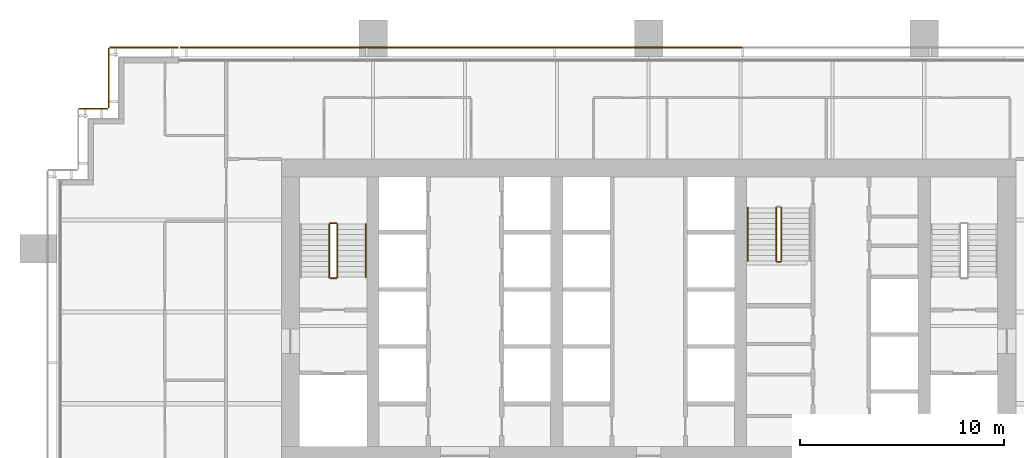
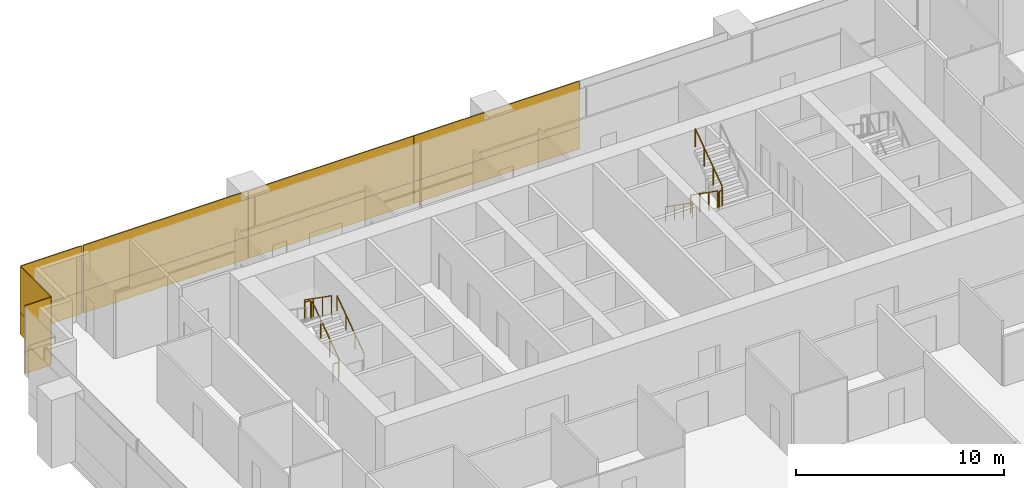
# One storey, part 17 of 18: 12 coverings, 9 railings.
"""IFC4 building model written with IfcOpenShell, lengths in metres."""

from ifc_helpers import new_model, si_unit, direction, frame, origin, origin_2d, place, context, subcontext, project, spatial, rectangle, extrude, material, layer, layer_set, type_object, element, save


model = new_model("IFC4")

# Units and contexts
model_context = context("Model", 3, precision=1e-05, world=origin(), true_north=direction((0.0, 1.0)))
body_context = subcontext(model_context, "Body", "Model", "MODEL_VIEW")
ifc_project = project(units=[si_unit("LENGTHUNIT", "METRE"), si_unit("AREAUNIT", "SQUARE_METRE"), si_unit("VOLUMEUNIT", "CUBIC_METRE"), si_unit("PLANEANGLEUNIT", "RADIAN"), si_unit("MASSUNIT", "GRAM", prefix="KILO")], contexts=[model_context])

# Site, building, storey
site_placement = place(None, origin())
site = spatial("IfcSite", under=ifc_project, at=site_placement, CompositionType="ELEMENT")
building_placement = place(site_placement, origin())
building = spatial("IfcBuilding", under=site, at=building_placement, Name="Rattan Terrace Tower", CompositionType="ELEMENT")
storey_placement = place(building_placement, frame((0.0, 0.0, 134.10009765625)))
storey = spatial("IfcBuildingStorey", under=building, at=storey_placement, Name="L30", CompositionType="ELEMENT", Elevation=134.10009765625)

# Railings
ifc_material_1 = material(Name="Powder-coated steel guard", Category="steel")
railing_type_1 = type_object("IfcRailingType", Name="Core stair guard", PredefinedType="GUARDRAIL", material=ifc_material_1)
railing_1_placement = place(storey_placement, frame((-15.25, 1.699951171875, 0.181640625)))
element("IfcRailing", 1, at=railing_1_placement, inside=storey, type_object=railing_type_1, Name="L30 S1 stair guard 1", PredefinedType="GUARDRAIL", context=body_context, shape_type="SweptSolid", body=[
    extrude(rectangle(XDim=0.048095703125, YDim=0.048095703125, at=origin_2d()), frame((0.0, 0.0, 1.076171875), z_axis=(0.0, 0.819484887739, 0.573100792852), x_axis=(-1.0, 0.0, 0.0)), (0.0, 0.0, 1.0), 3.1728515625),
    extrude(rectangle(XDim=0.0419921875, YDim=0.0419921875, at=origin_2d()), origin(), (0.0, 0.0, 1.0), 1.052001953125),
    extrude(rectangle(XDim=0.0419921875, YDim=0.0419921875, at=origin_2d()), frame((0.0, 0.86669921875, 0.606201171875)), (0.0, 0.0, 1.0), 1.052001953125),
    extrude(rectangle(XDim=0.0419921875, YDim=0.0419921875, at=origin_2d()), frame((0.0, 1.7333984375, 1.212158203125)), (0.0, 0.0, 1.0), 1.052001953125),
    extrude(rectangle(XDim=0.0419921875, YDim=0.0419921875, at=origin_2d()), frame((0.0, 2.60009765625, 1.818359375)), (0.0, 0.0, 1.0), 1.052001953125),
])
railing_2_placement = place(storey_placement, frame((-15.300048828125, 4.35009765625, 2.0)))
element("IfcRailing", 2, at=railing_2_placement, inside=storey, type_object=railing_type_1, Name="L30 S1 stair guard 2", PredefinedType="GUARDRAIL", context=body_context, shape_type="SweptSolid", body=[
    extrude(rectangle(XDim=0.048095703125, YDim=0.048095703125, at=origin_2d()), frame((0.0, 0.0, 1.076171875), z_axis=(-1.0, 0.0, 0.0), x_axis=(0.0, -1.0, 0.0)), (0.0, 0.0, 1.0), 0.300048828125),
    extrude(rectangle(XDim=0.0419921875, YDim=0.0419921875, at=origin_2d()), origin(), (0.0, 0.0, 1.0), 1.052001953125),
    extrude(rectangle(XDim=0.0419921875, YDim=0.0419921875, at=origin_2d()), frame((-0.300048828125, 0.0, 0.0)), (0.0, 0.0, 1.0), 1.052001953125),
])
railing_3_placement = place(storey_placement, frame((-15.64990234375, 4.300048828125, 2.181640625)))
element("IfcRailing", 3, at=railing_3_placement, inside=storey, type_object=railing_type_1, Name="L30 S1 stair guard 3", PredefinedType="GUARDRAIL", context=body_context, shape_type="SweptSolid", body=[
    extrude(rectangle(XDim=0.048095703125, YDim=0.048095703125, at=origin_2d()), frame((0.0, 0.0, 1.076171875), z_axis=(0.0, -0.819484887739, 0.573100792852), x_axis=(1.0, 0.0, 0.0)), (0.0, 0.0, 1.0), 3.1728515625),
    extrude(rectangle(XDim=0.0419921875, YDim=0.0419921875, at=origin_2d()), origin(), (0.0, 0.0, 1.0), 1.052001953125),
    extrude(rectangle(XDim=0.0419921875, YDim=0.0419921875, at=origin_2d()), frame((0.0, -0.86669921875, 0.606201171875)), (0.0, 0.0, 1.0), 1.052001953125),
    extrude(rectangle(XDim=0.0419921875, YDim=0.0419921875, at=origin_2d()), frame((0.0, -1.7333984375, 1.212158203125)), (0.0, 0.0, 1.0), 1.052001953125),
    extrude(rectangle(XDim=0.0419921875, YDim=0.0419921875, at=origin_2d()), frame((0.0, -2.60009765625, 1.818359375)), (0.0, 0.0, 1.0), 1.052001953125),
])
railing_4_placement = place(storey_placement, frame((-15.300048828125, 1.64990234375, 0.0)))
element("IfcRailing", 4, at=railing_4_placement, inside=storey, type_object=railing_type_1, Name="L30 S1 stair guard 4", PredefinedType="GUARDRAIL", context=body_context, shape_type="SweptSolid", body=[
    extrude(rectangle(XDim=0.048095703125, YDim=0.048095703125, at=origin_2d()), frame((0.0, 0.0, 1.076171875), z_axis=(-1.0, 0.0, 0.0), x_axis=(0.0, -1.0, 0.0)), (0.0, 0.0, 1.0), 0.300048828125),
    extrude(rectangle(XDim=0.0419921875, YDim=0.0419921875, at=origin_2d()), origin(), (0.0, 0.0, 1.0), 1.052001953125),
    extrude(rectangle(XDim=0.0419921875, YDim=0.0419921875, at=origin_2d()), frame((-0.300048828125, 0.0, 0.0)), (0.0, 0.0, 1.0), 1.052001953125),
])
railing_5_placement = place(storey_placement, frame((6.25, 5.10009765625, 0.181640625)))
element("IfcRailing", 5, at=railing_5_placement, inside=storey, type_object=railing_type_1, Name="L30 S3 stair guard 1", PredefinedType="GUARDRAIL", context=body_context, shape_type="SweptSolid", body=[
    extrude(rectangle(XDim=0.048095703125, YDim=0.048095703125, at=origin_2d()), frame((0.0, 0.0, 1.076171875), z_axis=(0.0, -0.819484887739, 0.573100792852), x_axis=(1.0, 0.0, 0.0)), (0.0, 0.0, 1.0), 3.1728515625),
    extrude(rectangle(XDim=0.0419921875, YDim=0.0419921875, at=origin_2d()), origin(), (0.0, 0.0, 1.0), 1.052001953125),
    extrude(rectangle(XDim=0.0419921875, YDim=0.0419921875, at=origin_2d()), frame((0.0, -0.86669921875, 0.606201171875)), (0.0, 0.0, 1.0), 1.052001953125),
    extrude(rectangle(XDim=0.0419921875, YDim=0.0419921875, at=origin_2d()), frame((0.0, -1.7333984375, 1.212158203125)), (0.0, 0.0, 1.0), 1.052001953125),
    extrude(rectangle(XDim=0.0419921875, YDim=0.0419921875, at=origin_2d()), frame((0.0, -2.60009765625, 1.818359375)), (0.0, 0.0, 1.0), 1.052001953125),
])
railing_6_placement = place(storey_placement, frame((6.300048828125, 2.449951171875, 2.0)))
element("IfcRailing", 6, at=railing_6_placement, inside=storey, type_object=railing_type_1, Name="L30 S3 stair guard 2", PredefinedType="GUARDRAIL", context=body_context, shape_type="SweptSolid", body=[
    extrude(rectangle(XDim=0.048095703125, YDim=0.048095703125, at=origin_2d()), frame((0.0, 0.0, 1.076171875), z_axis=(1.0, 0.0, 0.0), x_axis=(0.0, 1.0, 0.0)), (0.0, 0.0, 1.0), 0.14990234375),
    extrude(rectangle(XDim=0.0419921875, YDim=0.0419921875, at=origin_2d()), origin(), (0.0, 0.0, 1.0), 1.052001953125),
    extrude(rectangle(XDim=0.0419921875, YDim=0.0419921875, at=origin_2d()), frame((0.14990234375, 0.0, 0.0)), (0.0, 0.0, 1.0), 1.052001953125),
])
railing_7_placement = place(storey_placement, frame((6.5, 2.5, 2.181640625)))
element("IfcRailing", 7, at=railing_7_placement, inside=storey, type_object=railing_type_1, Name="L30 S3 stair guard 3", PredefinedType="GUARDRAIL", context=body_context, shape_type="SweptSolid", body=[
    extrude(rectangle(XDim=0.048095703125, YDim=0.048095703125, at=origin_2d()), frame((0.0, 0.0, 1.076171875), z_axis=(0.0, 0.819484887739, 0.573100792852), x_axis=(-1.0, 0.0, 0.0)), (0.0, 0.0, 1.0), 3.1728515625),
    extrude(rectangle(XDim=0.0419921875, YDim=0.0419921875, at=origin_2d()), origin(), (0.0, 0.0, 1.0), 1.052001953125),
    extrude(rectangle(XDim=0.0419921875, YDim=0.0419921875, at=origin_2d()), frame((0.0, 0.86669921875, 0.606201171875)), (0.0, 0.0, 1.0), 1.052001953125),
    extrude(rectangle(XDim=0.0419921875, YDim=0.0419921875, at=origin_2d()), frame((0.0, 1.7333984375, 1.212158203125)), (0.0, 0.0, 1.0), 1.052001953125),
    extrude(rectangle(XDim=0.0419921875, YDim=0.0419921875, at=origin_2d()), frame((0.0, 2.60009765625, 1.818359375)), (0.0, 0.0, 1.0), 1.052001953125),
])
ifc_material_2 = material(Name="Powder-coated steel handrail", Category="steel")
railing_type_2 = type_object("IfcRailingType", Name="Core stair handrail", PredefinedType="HANDRAIL", material=ifc_material_2)
railing_8_placement = place(storey_placement, frame((-13.85009765625, 1.699951171875, 0.181640625)))
element("IfcRailing", 8, at=railing_8_placement, inside=storey, type_object=railing_type_2, Name="L30 S1 stair handrail 1", PredefinedType="HANDRAIL", context=body_context, shape_type="SweptSolid", body=[
    extrude(rectangle(XDim=0.048095703125, YDim=0.048095703125, at=origin_2d()), frame((0.0, 0.0, 0.8759765625), z_axis=(0.0, 0.819484887739, 0.573100792852), x_axis=(-1.0, 0.0, 0.0)), (0.0, 0.0, 1.0), 3.1728515625),
    extrude(rectangle(XDim=0.0419921875, YDim=0.0419921875, at=origin_2d()), origin(), (0.0, 0.0, 1.0), 0.851806640625),
    extrude(rectangle(XDim=0.0419921875, YDim=0.0419921875, at=origin_2d()), frame((0.0, 0.86669921875, 0.606201171875)), (0.0, 0.0, 1.0), 0.851806640625),
    extrude(rectangle(XDim=0.0419921875, YDim=0.0419921875, at=origin_2d()), frame((0.0, 1.7333984375, 1.212158203125)), (0.0, 0.0, 1.0), 0.851806640625),
    extrude(rectangle(XDim=0.0419921875, YDim=0.0419921875, at=origin_2d()), frame((0.0, 2.60009765625, 1.818359375)), (0.0, 0.0, 1.0), 0.851806640625),
])
railing_9_placement = place(storey_placement, frame((4.85009765625, 5.10009765625, 0.181640625)))
element("IfcRailing", 9, at=railing_9_placement, inside=storey, type_object=railing_type_2, Name="L30 S3 stair handrail 1", PredefinedType="HANDRAIL", context=body_context, shape_type="SweptSolid", body=[
    extrude(rectangle(XDim=0.048095703125, YDim=0.048095703125, at=origin_2d()), frame((0.0, 0.0, 0.8759765625), z_axis=(0.0, -0.819484887739, 0.573100792852), x_axis=(1.0, 0.0, 0.0)), (0.0, 0.0, 1.0), 3.1728515625),
    extrude(rectangle(XDim=0.0419921875, YDim=0.0419921875, at=origin_2d()), origin(), (0.0, 0.0, 1.0), 0.851806640625),
    extrude(rectangle(XDim=0.0419921875, YDim=0.0419921875, at=origin_2d()), frame((0.0, -0.86669921875, 0.606201171875)), (0.0, 0.0, 1.0), 0.851806640625),
    extrude(rectangle(XDim=0.0419921875, YDim=0.0419921875, at=origin_2d()), frame((0.0, -1.7333984375, 1.212158203125)), (0.0, 0.0, 1.0), 0.851806640625),
    extrude(rectangle(XDim=0.0419921875, YDim=0.0419921875, at=origin_2d()), frame((0.0, -2.60009765625, 1.818359375)), (0.0, 0.0, 1.0), 0.851806640625),
])

# Coverings
ifc_material_3 = material(Name="Solid terracotta", Category="masonry")
ifc_layer_1 = layer(ifc_material_3, 0.06005859375)
ifc_layer_set_1 = layer_set([ifc_layer_1], Name="Facade Terracotta Band Panel")
covering_type_1 = type_object("IfcCoveringType", Name="Facade Terracotta Band Panel", PredefinedType="CLADDING", material=ifc_layer_set_1)
for number, where, z_axis, x_axis, name in (
    (10, (-0.00244140625, 12.949951171875, -0.18994140625), (0.0, 0.0, 1.0), (-1.0, 0.0, 0.0), "OUTER SKIN panel L30-17A"),
    (11, (-9.20361328125, 12.949951171875, -0.18994140625), (0.0, 0.0, 1.0), (-1.0, 0.0, 0.0), "OUTER SKIN panel L30-18A"),
):
    element("IfcCovering", number, at=place(storey_placement, frame(where, z_axis=z_axis, x_axis=x_axis)), inside=storey, type_object=covering_type_1, Name=name, PredefinedType="CLADDING", context=body_context, shape_type="SweptSolid", body=[
        extrude(rectangle(XDim=9.180908203125, YDim=0.06005859375, at=origin_2d()), origin(), (0.0, 0.0, 1.0), 1.300048828125),
    ])
covering_1_placement = place(storey_placement, frame((-18.386962890625, 12.949951171875, -0.18994140625), z_axis=(0.0, 0.0, 1.0), x_axis=(-1.0, 0.0, 0.0)))
element("IfcCovering", 12, at=covering_1_placement, inside=storey, type_object=covering_type_1, Name="OUTER SKIN panel L30-19A", PredefinedType="CLADDING", context=body_context, shape_type="SweptSolid", body=[
    extrude(rectangle(XDim=9.14599609375, YDim=0.06005859375, at=origin_2d()), origin(), (0.0, 0.0, 1.0), 1.300048828125),
])
covering_2_placement = place(storey_placement, frame((-24.72509765625, 12.949951171875, -0.18994140625), z_axis=(0.0, 0.0, 1.0), x_axis=(-1.0, 0.0, 0.0)))
element("IfcCovering", 13, at=covering_2_placement, inside=storey, type_object=covering_type_1, Name="OUTER SKIN panel L30-20A", PredefinedType="CLADDING", context=body_context, shape_type="SweptSolid", body=[
    extrude(rectangle(XDim=3.3701171875, YDim=0.06005859375, at=origin_2d()), origin(), (0.0, 0.0, 1.0), 1.300048828125),
])
covering_3_placement = place(storey_placement, frame((-26.449951171875, 11.449951171875, -0.18994140625), z_axis=(0.0, 0.0, 1.0), x_axis=(0.0, -1.0, 0.0)))
element("IfcCovering", 14, at=covering_3_placement, inside=storey, type_object=covering_type_1, Name="OUTER SKIN panel L30-21A", PredefinedType="CLADDING", context=body_context, shape_type="SweptSolid", body=[
    extrude(rectangle(XDim=2.919921875, YDim=0.06005859375, at=origin_2d()), origin(), (0.0, 0.0, 1.0), 1.300048828125),
])
covering_4_placement = place(storey_placement, frame((-27.199951171875, 9.949951171875, -0.18994140625), z_axis=(0.0, 0.0, 1.0), x_axis=(-1.0, 0.0, 0.0)))
element("IfcCovering", 15, at=covering_4_placement, inside=storey, type_object=covering_type_1, Name="OUTER SKIN panel L30-22A", PredefinedType="CLADDING", context=body_context, shape_type="SweptSolid", body=[
    extrude(rectangle(XDim=1.419921875, YDim=0.06005859375, at=origin_2d()), origin(), (0.0, 0.0, 1.0), 1.300048828125),
])
ifc_material_4 = material(Name="Perforated terracotta", Category="masonry")
ifc_layer_2 = layer(ifc_material_4, 0.06005859375)
ifc_layer_set_2 = layer_set([ifc_layer_2], Name="Facade Terracotta Screen Panel")
covering_type_2 = type_object("IfcCoveringType", Name="Facade Terracotta Screen Panel", PredefinedType="CLADDING", material=ifc_layer_set_2)
for number, where, z_axis, x_axis, name in (
    (16, (-0.00244140625, 12.949951171875, 1.10986328125), (0.0, 0.0, 1.0), (-1.0, 0.0, 0.0), "OUTER SKIN panel L30-17B"),
    (17, (-9.20361328125, 12.949951171875, 1.10986328125), (0.0, 0.0, 1.0), (-1.0, 0.0, 0.0), "OUTER SKIN panel L30-18B"),
):
    element("IfcCovering", number, at=place(storey_placement, frame(where, z_axis=z_axis, x_axis=x_axis)), inside=storey, type_object=covering_type_2, Name=name, PredefinedType="CLADDING", context=body_context, shape_type="SweptSolid", body=[
        extrude(rectangle(XDim=9.180908203125, YDim=0.06005859375, at=origin_2d()), origin(), (0.0, 0.0, 1.0), 2.679931640625),
    ])
covering_5_placement = place(storey_placement, frame((-18.386962890625, 12.949951171875, 1.10986328125), z_axis=(0.0, 0.0, 1.0), x_axis=(-1.0, 0.0, 0.0)))
element("IfcCovering", 18, at=covering_5_placement, inside=storey, type_object=covering_type_2, Name="OUTER SKIN panel L30-19B", PredefinedType="CLADDING", context=body_context, shape_type="SweptSolid", body=[
    extrude(rectangle(XDim=9.14599609375, YDim=0.06005859375, at=origin_2d()), origin(), (0.0, 0.0, 1.0), 2.679931640625),
])
covering_6_placement = place(storey_placement, frame((-24.72509765625, 12.949951171875, 1.10986328125), z_axis=(0.0, 0.0, 1.0), x_axis=(-1.0, 0.0, 0.0)))
element("IfcCovering", 19, at=covering_6_placement, inside=storey, type_object=covering_type_2, Name="OUTER SKIN panel L30-20B", PredefinedType="CLADDING", context=body_context, shape_type="SweptSolid", body=[
    extrude(rectangle(XDim=3.3701171875, YDim=0.06005859375, at=origin_2d()), origin(), (0.0, 0.0, 1.0), 2.679931640625),
])
covering_7_placement = place(storey_placement, frame((-26.449951171875, 11.449951171875, 1.10986328125), z_axis=(0.0, 0.0, 1.0), x_axis=(0.0, -1.0, 0.0)))
element("IfcCovering", 20, at=covering_7_placement, inside=storey, type_object=covering_type_2, Name="OUTER SKIN panel L30-21B", PredefinedType="CLADDING", context=body_context, shape_type="SweptSolid", body=[
    extrude(rectangle(XDim=2.919921875, YDim=0.06005859375, at=origin_2d()), origin(), (0.0, 0.0, 1.0), 2.679931640625),
])
covering_8_placement = place(storey_placement, frame((-27.199951171875, 9.949951171875, 1.10986328125), z_axis=(0.0, 0.0, 1.0), x_axis=(-1.0, 0.0, 0.0)))
element("IfcCovering", 21, at=covering_8_placement, inside=storey, type_object=covering_type_2, Name="OUTER SKIN panel L30-22B", PredefinedType="CLADDING", context=body_context, shape_type="SweptSolid", body=[
    extrude(rectangle(XDim=1.419921875, YDim=0.06005859375, at=origin_2d()), origin(), (0.0, 0.0, 1.0), 2.679931640625),
])

save(model, "model.ifc")
